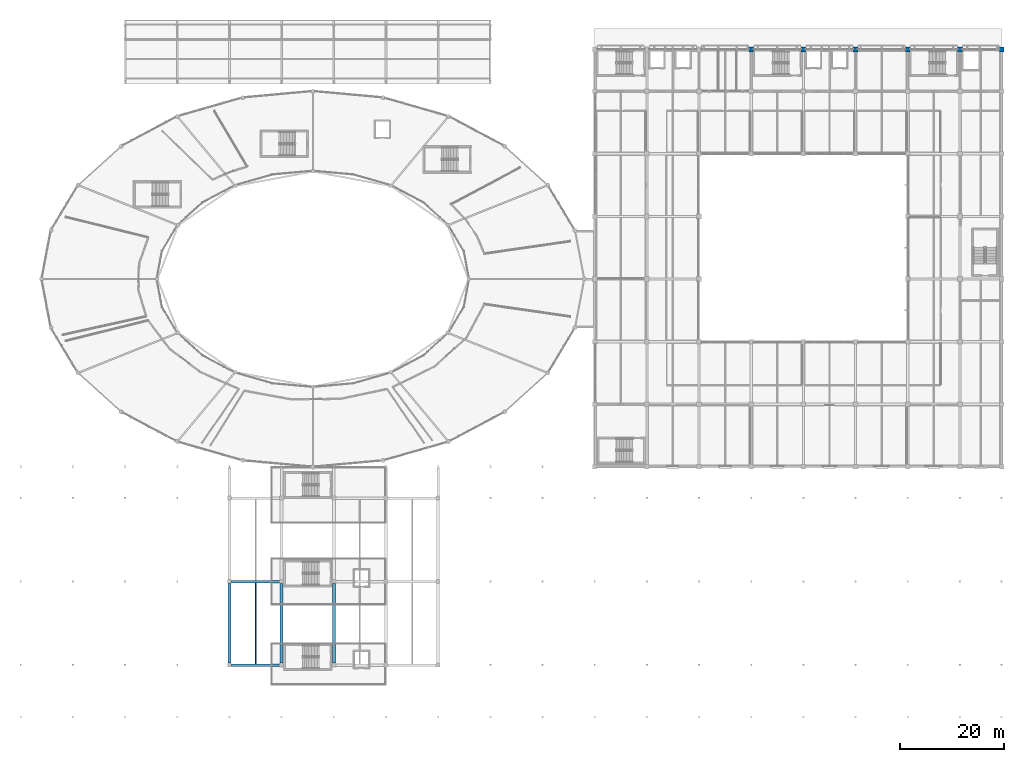
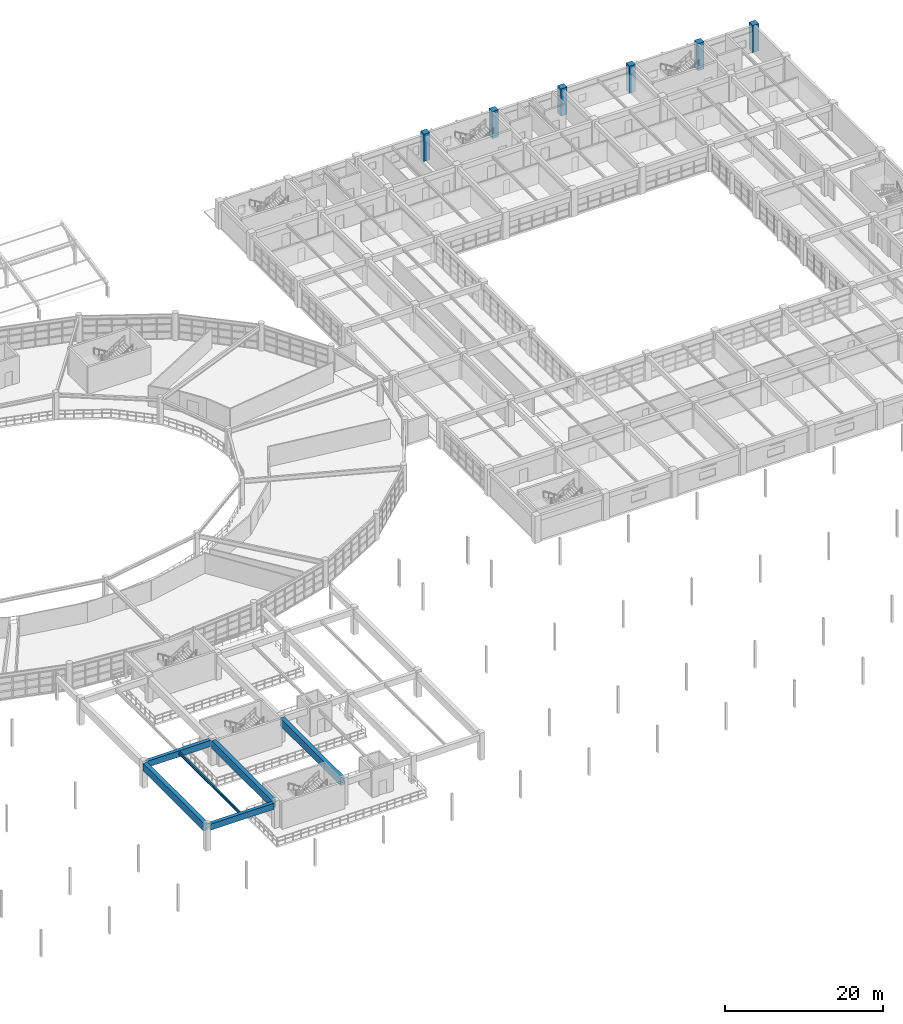
# One storey, part 23 of 100: 6 beams, 6 columns.
"""IFC4 building model written with IfcOpenShell, lengths in metres."""

from ifc_helpers import new_model, si_unit, direction, frame, origin, origin_2d, place, context, subcontext, project, spatial, rectangle, i_section, extrude, material, material_profile, profile_set, type_object, element, save


model = new_model("IFC4")

# Units and contexts
model_context = context("Model", 3, precision=1e-05, world=origin(), true_north=direction((0.0, 1.0)))
body_context = subcontext(model_context, "Body", "Model", "MODEL_VIEW")
ifc_project = project(units=[si_unit("LENGTHUNIT", "METRE"), si_unit("AREAUNIT", "SQUARE_METRE"), si_unit("VOLUMEUNIT", "CUBIC_METRE"), si_unit("PLANEANGLEUNIT", "RADIAN"), si_unit("MASSUNIT", "GRAM", prefix="KILO")], contexts=[model_context])

# Site, building, storey
site_placement = place(None, origin())
site = spatial("IfcSite", under=ifc_project, at=site_placement, CompositionType="ELEMENT")
building_placement = place(site_placement, origin())
building = spatial("IfcBuilding", under=site, at=building_placement, Name="Kivolera Central Railway Station", CompositionType="ELEMENT")
storey_placement = place(building_placement, frame((0.0, 0.0, 5.39990234375)))
storey = spatial("IfcBuildingStorey", under=building, at=storey_placement, Name="L01", CompositionType="ELEMENT", Elevation=5.39990234375)

# Columns
ifc_material_1 = material(Name="Concrete C40/50", Category="concrete")
ifc_material_profile_1 = material_profile(ifc_material_1, rectangle(XDim=0.89990234375, YDim=0.89990234375, at=origin_2d()), Name="RC 900x900")
ifc_profile_set_1 = profile_set([ifc_material_profile_1], Name="Concrete C40/50")
column_type = type_object("IfcColumnType", Name="COL-RC-900", PredefinedType="COLUMN", material=ifc_profile_set_1)
for number, where, z_axis, x_axis, name in (
    (1, (148.0, 134.0, 0.0), (0.0, 0.0, 1.0), (1.0, 0.0, 0.0), "L01 Wing Column 15-M"),
    (2, (158.0, 134.0, 0.0), (0.0, 0.0, 1.0), (1.0, 0.0, 0.0), "L01 Wing Column 16-M"),
    (3, (168.0, 134.0, 0.0), (0.0, 0.0, 1.0), (1.0, 0.0, 0.0), "L01 Wing Column 17-M"),
    (4, (178.0, 134.0, 0.0), (0.0, 0.0, 1.0), (1.0, 0.0, 0.0), "L01 Wing Column 18-M"),
    (5, (188.0, 134.0, 0.0), (0.0, 0.0, 1.0), (1.0, 0.0, 0.0), "L01 Wing Column 19-M"),
    (6, (196.0, 134.0, 0.0), (0.0, 0.0, 1.0), (1.0, 0.0, 0.0), "L01 Wing Column 20-M"),
):
    element("IfcColumn", number, at=place(storey_placement, frame(where, z_axis=z_axis, x_axis=x_axis)), inside=storey, type_object=column_type, Name=name, PredefinedType="COLUMN", context=body_context, shape_type="SweptSolid", body=[
        extrude(rectangle(XDim=0.89990234375, YDim=0.89990234375, at=origin_2d()), origin(), (0.0, 0.0, 1.0), 4.2001953125),
    ])

# Beams
ifc_material_2 = material(Name="Steel S355", Category="steel")
ifc_material_profile_2 = material_profile(ifc_material_2, i_section(OverallWidth=0.18994140625, OverallDepth=0.449951171875, WebThickness=0.009521484375, FlangeThickness=0.0146484375, FilletRadius=0.02099609375, at=origin_2d()), Name="IPE 450")
ifc_profile_set_2 = profile_set([ifc_material_profile_2], Name="Steel S355")
beam_type_1 = type_object("IfcBeamType", Name="BM-JST-IPE450", PredefinedType="JOIST", material=ifc_profile_set_2)
beam_placement = place(storey_placement, frame((53.0, 16.241943359375, 3.64306640625), z_axis=(0.0, 1.0, 0.0), x_axis=(-1.0, 0.0, 0.0)))
element("IfcBeam", 7, at=beam_placement, inside=storey, type_object=beam_type_1, Name="L01 Over-Track Bridge Joist 5:B-C", PredefinedType="JOIST", context=body_context, shape_type="SweptSolid", body=[
    extrude(i_section(OverallWidth=0.18994140625, OverallDepth=0.449951171875, WebThickness=0.009521484375, FlangeThickness=0.0146484375, FilletRadius=0.02099609375, at=origin_2d()), origin(), (0.0, 0.0, 1.0), 15.51611328125),
])
ifc_material_profile_3 = material_profile(ifc_material_1, rectangle(XDim=0.5, YDim=0.949951171875, at=origin_2d()), Name="RC 500x950")
ifc_profile_set_3 = profile_set([ifc_material_profile_3], Name="Concrete C40/50")
beam_type_2 = type_object("IfcBeamType", Name="BM-RC-500x950", PredefinedType="BEAM", material=ifc_profile_set_3)
for number, where, z_axis, x_axis, name in (
    (8, (48.362060546875, 16.0, 3.405029296875), (1.0, 0.0, 0.0), (0.0, 1.0, 0.0), "L01 Over-Track Bridge Transverse Girder B:5-6"),
    (9, (48.362060546875, 32.0, 3.405029296875), (1.0, 0.0, 0.0), (0.0, 1.0, 0.0), "L01 Over-Track Bridge Transverse Girder C:5-6"),
):
    element("IfcBeam", number, at=place(storey_placement, frame(where, z_axis=z_axis, x_axis=x_axis)), inside=storey, type_object=beam_type_2, Name=name, PredefinedType="BEAM", context=body_context, shape_type="SweptSolid", body=[
        extrude(rectangle(XDim=0.5, YDim=0.949951171875, at=origin_2d()), origin(), (0.0, 0.0, 1.0), 9.27587890625),
    ])
ifc_material_profile_4 = material_profile(ifc_material_1, rectangle(XDim=0.60009765625, YDim=1.199951171875, at=origin_2d()), Name="RC 600x1200")
ifc_profile_set_4 = profile_set([ifc_material_profile_4], Name="Concrete C40/50")
beam_type_3 = type_object("IfcBeamType", Name="BM-RC-600x1200", PredefinedType="BEAM", material=ifc_profile_set_4)
for number, where, z_axis, x_axis, name in (
    (10, (48.0, 16.362060546875, 3.280029296875), (0.0, 1.0, 0.0), (-1.0, 0.0, 0.0), "L01 Over-Track Concourse Bridge Girder 5:B-C"),
    (11, (58.0, 16.362060546875, 3.280029296875), (0.0, 1.0, 0.0), (-1.0, 0.0, 0.0), "L01 Over-Track Concourse Bridge Girder 6:B-C"),
    (12, (68.0, 16.362060546875, 3.280029296875), (0.0, 1.0, 0.0), (-1.0, 0.0, 0.0), "L01 Over-Track Concourse Bridge Girder 7:B-C"),
):
    element("IfcBeam", number, at=place(storey_placement, frame(where, z_axis=z_axis, x_axis=x_axis)), inside=storey, type_object=beam_type_3, Name=name, PredefinedType="BEAM", context=body_context, shape_type="SweptSolid", body=[
        extrude(rectangle(XDim=0.60009765625, YDim=1.199951171875, at=origin_2d()), origin(), (0.0, 0.0, 1.0), 15.27587890625),
    ])

save(model, "model.ifc")
